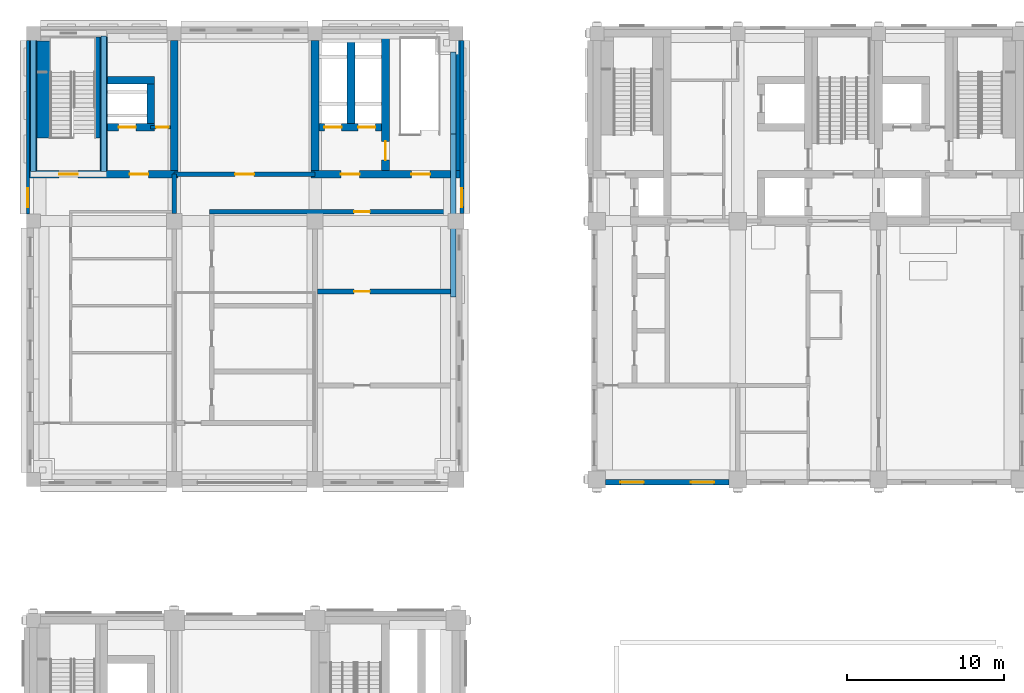
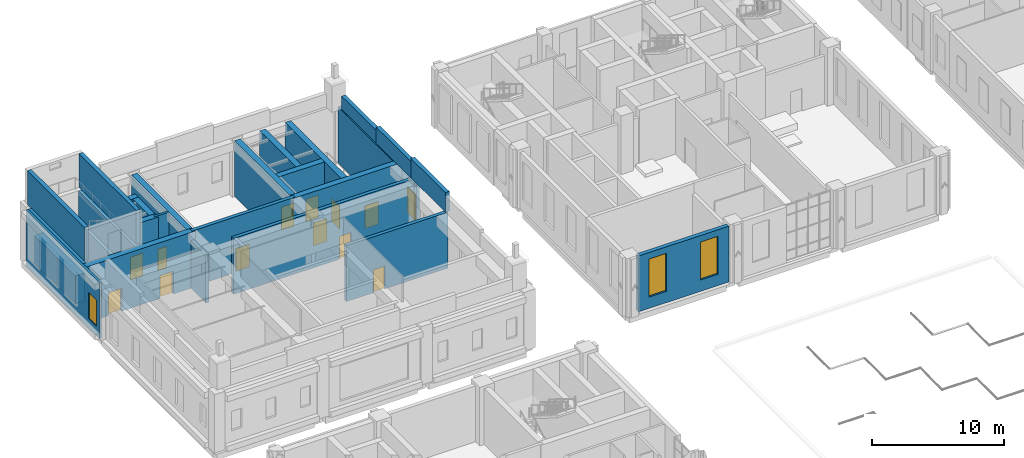
# One storey, part 20 of 37: 28 walls, 12 doors, 4 windows, 16 openings.
"""IFC4 building model written with IfcOpenShell, lengths in metres."""

from ifc_helpers import new_model, si_unit, direction, frame, frame_2d, origin, place, context, subcontext, project, spatial, rectangle, extrude, material, layer, layer_set, type_object, element, fill, save


model = new_model("IFC4")

# Units and contexts
model_context = context("Model", 3, precision=1e-05, world=origin(), true_north=direction((0.0, 1.0)))
body_context = subcontext(model_context, "Body", "Model", "MODEL_VIEW")
ifc_project = project(units=[si_unit("LENGTHUNIT", "METRE"), si_unit("AREAUNIT", "SQUARE_METRE"), si_unit("VOLUMEUNIT", "CUBIC_METRE"), si_unit("PLANEANGLEUNIT", "RADIAN"), si_unit("MASSUNIT", "GRAM", prefix="KILO")], contexts=[model_context])

# Site, building, storey
site_placement = place(None, origin())
site = spatial("IfcSite", under=ifc_project, at=site_placement, CompositionType="ELEMENT")
building_placement = place(site_placement, origin())
building = spatial("IfcBuilding", under=site, at=building_placement, Name="Aurelan Courthouse", CompositionType="ELEMENT")
storey_placement = place(building_placement, frame((0.0, 0.0, 17.39990234375)))
storey = spatial("IfcBuildingStorey", under=building, at=storey_placement, Name="L03", CompositionType="ELEMENT", Elevation=17.39990234375)

# Walls
ifc_material_1 = material(Name="Limestone cladding", Category="masonry")
ifc_layer_1 = layer(ifc_material_1, 0.35009765625)
ifc_layer_set_1 = layer_set([ifc_layer_1], Name="Limestone cladding")
wall_type_1 = type_object("IfcWallType", Name="CR6 crown parapet 350 x 1200", PredefinedType="PARAPET", material=ifc_layer_set_1)
wall_1_placement = place(storey_placement, frame((26.824951171875, 59.580078125, 5.400146484375), z_axis=(0.0, 0.0, 1.0), x_axis=(0.0, 1.0, 0.0)))
element("IfcWall", 1, at=wall_1_placement, inside=storey, type_object=wall_type_1, Name="Crown parapet CR6-PA20", PredefinedType="PARAPET", context=body_context, shape_type="SweptSolid", body=[
    extrude(rectangle(XDim=5.219970703125, YDim=0.35009765625, at=frame_2d((2.60986328125, 0.0))), origin(), (0.0, 0.0, 1.0), 1.199951171875),
])
ifc_layer_2 = layer(ifc_material_1, 0.35009765625)
ifc_layer_set_2 = layer_set([ifc_layer_2], Name="Limestone cladding")
wall_type_2 = type_object("IfcWallType", Name="CR6 crown parapet 350 x 1500", PredefinedType="PARAPET", material=ifc_layer_set_2)
wall_2_placement = place(storey_placement, frame((26.824951171875, 54.360107421875, 5.400146484375), z_axis=(0.0, 0.0, 1.0), x_axis=(0.0, 1.0, 0.0)))
element("IfcWall", 2, at=wall_2_placement, inside=storey, type_object=wall_type_2, Name="Crown parapet CR6-PA19", PredefinedType="PARAPET", context=body_context, shape_type="SweptSolid", body=[
    extrude(rectangle(XDim=5.219970703125, YDim=0.35009765625, at=frame_2d((2.60986328125, 0.0))), origin(), (0.0, 0.0, 1.0), 1.5),
])
ifc_layer_3 = layer(ifc_material_1, 0.35009765625)
ifc_layer_set_3 = layer_set([ifc_layer_3], Name="Limestone cladding")
wall_type_3 = type_object("IfcWallType", Name="CR6 crown parapet 350 x 1800", PredefinedType="PARAPET", material=ifc_layer_set_3)
wall_3_placement = place(storey_placement, frame((26.824951171875, 49.139892578125, 5.400146484375), z_axis=(0.0, 0.0, 1.0), x_axis=(0.0, 1.0, 0.0)))
element("IfcWall", 3, at=wall_3_placement, inside=storey, type_object=wall_type_3, Name="Crown parapet CR6-PA18", PredefinedType="PARAPET", context=body_context, shape_type="SweptSolid", body=[
    extrude(rectangle(XDim=5.22021484375, YDim=0.35009765625, at=frame_2d((2.610107421875, 0.0))), origin(), (0.0, 0.0, 1.0), 1.800048828125),
])

# Wall, openings, windows
ifc_layer_4 = layer(ifc_material_1, 0.10009765625, Name="Facing")
ifc_material_2 = material(Name="Ventilated cavity")
ifc_layer_5 = layer(ifc_material_2, 0.02490234375, ventilated=True, Name="Ventilated cavity")
ifc_material_3 = material(Name="Mineral wool insulation")
ifc_layer_6 = layer(ifc_material_3, 0.050048828125, Name="Insulation")
ifc_material_4 = material(Name="Concrete C30", Category="concrete")
ifc_layer_7 = layer(ifc_material_4, 0.175048828125, Name="Structure")
ifc_layer_set_4 = layer_set([ifc_layer_4, ifc_layer_5, ifc_layer_6, ifc_layer_7], Name="Concrete C30")
wall_type_4 = type_object("IfcWallType", Name="Courtroom Block stone-faced wall 350", PredefinedType="SOLIDWALL", material=ifc_layer_set_4)
wall_4_placement = place(storey_placement, frame((36.550048828125, 37.324951171875, 0.0), z_axis=(0.0, 0.0, 1.0), x_axis=(1.0, 0.0, 0.0)))
wall_4 = element("IfcWall", 4, at=wall_4_placement, inside=storey, type_object=wall_type_4, Name="Facade wall FW-V2-L03-001", PredefinedType="SOLIDWALL", context=body_context, shape_type="SweptSolid", body=[
    extrude(rectangle(XDim=7.89990234375, YDim=0.35009765625, at=frame_2d((3.949951171875, 0.0))), origin(), (0.0, 0.0, 1.0), 5.150146484375),
])
opening_1_placement = place(wall_4_placement, frame((0.949951171875, 0.0, 1.050048828125)))
opening_1 = element("IfcOpeningElement", 5, at=opening_1_placement, cuts=wall_4, Name="Opening WN-V2-L03-001", PredefinedType="OPENING", context=body_context, shape_type="SweptSolid", body=[
    extrude(rectangle(XDim=1.5, YDim=3.5, at=frame_2d((0.75, 1.75))), frame((0.0, 0.18505859375, 0.0), z_axis=(0.0, -1.0, 0.0), x_axis=(1.0, 0.0, 0.0)), (0.0, 0.0, 1.0), 0.3701171875),
])
opening_2_placement = place(wall_4_placement, frame((5.449951171875, 0.0, 1.050048828125)))
opening_2 = element("IfcOpeningElement", 6, at=opening_2_placement, cuts=wall_4, Name="Opening WN-V2-L03-002", PredefinedType="OPENING", context=body_context, shape_type="SweptSolid", body=[
    extrude(rectangle(XDim=1.5, YDim=3.5, at=frame_2d((0.75, 1.75))), frame((0.0, 0.18505859375, 0.0), z_axis=(0.0, -1.0, 0.0), x_axis=(1.0, 0.0, 0.0)), (0.0, 0.0, 1.0), 0.3701171875),
])
ifc_material_5 = material(Name="Bronze-finished aluminium and glass", Category="aluminium")
window_type_1 = type_object("IfcWindowType", Name="Courtroom Block glazed slot 1500 x 3500, sill 1050", PartitioningType="SINGLE_PANEL", PredefinedType="WINDOW", material=ifc_material_5)
window_1_placement = place(opening_1_placement, origin())
window_1 = element("IfcWindow", 7, at=window_1_placement, inside=storey, type_object=window_type_1, Name="Glazed slot WN-V2-L03-001", OverallHeight=3.5, OverallWidth=1.5, PartitioningType="SINGLE_PANEL", PredefinedType="WINDOW", context=body_context, shape_type="SweptSolid", body=[
    extrude(rectangle(XDim=1.5, YDim=3.5, at=frame_2d((0.75, 1.75))), frame((0.0, 0.030029296875, 0.0), z_axis=(0.0, -1.0, 0.0), x_axis=(1.0, 0.0, 0.0)), (0.0, 0.0, 1.0), 0.06005859375),
])
fill(opening_1, window_1)
window_2_placement = place(opening_2_placement, origin())
window_2 = element("IfcWindow", 8, at=window_2_placement, inside=storey, type_object=window_type_1, Name="Glazed slot WN-V2-L03-002", OverallHeight=3.5, OverallWidth=1.5, PartitioningType="SINGLE_PANEL", PredefinedType="WINDOW", context=body_context, shape_type="SweptSolid", body=[
    extrude(rectangle(XDim=1.5, YDim=3.5, at=frame_2d((0.75, 1.75))), frame((0.0, 0.030029296875, 0.0), z_axis=(0.0, -1.0, 0.0), x_axis=(1.0, 0.0, 0.0)), (0.0, 0.0, 1.0), 0.06005859375),
])
fill(opening_2, window_2)

# Wall, opening, window
ifc_layer_8 = layer(ifc_material_1, 0.054931640625, Name="Facing")
ifc_layer_9 = layer(ifc_material_2, 0.02490234375, ventilated=True, Name="Ventilated cavity")
ifc_layer_10 = layer(ifc_material_3, 0.030029296875, Name="Insulation")
ifc_layer_11 = layer(ifc_material_4, 0.090087890625, Name="Structure")
ifc_layer_set_5 = layer_set([ifc_layer_8, ifc_layer_9, ifc_layer_10, ifc_layer_11], Name="Concrete C30")
wall_type_5 = type_object("IfcWallType", Name="Custody Suite stone-faced wall 200", PredefinedType="SOLIDWALL", material=ifc_layer_set_5)
wall_5_placement = place(storey_placement, frame((-0.35009765625, 54.449951171875, 0.0), z_axis=(0.0, 0.0, 1.0), x_axis=(0.0, 1.0, 0.0)))
wall_5 = element("IfcWall", 9, at=wall_5_placement, inside=storey, type_object=wall_type_5, Name="Facade wall FW-V6-L03-010", PredefinedType="SOLIDWALL", context=body_context, shape_type="SweptSolid", body=[
    extrude(rectangle(XDim=11.10009765625, YDim=0.199951171875, at=frame_2d((5.550048828125, 0.0))), origin(), (0.0, 0.0, 1.0), 5.150146484375),
])
opening_3_placement = place(wall_5_placement, frame((0.449951171875, 0.0, 0.89990234375)))
opening_3 = element("IfcOpeningElement", 10, at=opening_3_placement, cuts=wall_5, Name="Opening WN-V6-L03-022", PredefinedType="OPENING", context=body_context, shape_type="SweptSolid", body=[
    extrude(rectangle(XDim=1.199951171875, YDim=2.39990234375, at=frame_2d((0.60009765625, 1.199951171875))), frame((0.0, 0.10986328125, 0.0), z_axis=(0.0, -1.0, 0.0), x_axis=(1.0, 0.0, 0.0)), (0.0, 0.0, 1.0), 0.219970703125),
])
window_type_2 = type_object("IfcWindowType", Name="Custody Suite glazed slot 1200 x 2400, sill 900", PartitioningType="SINGLE_PANEL", PredefinedType="WINDOW", material=ifc_material_5)
window_3_placement = place(opening_3_placement, origin())
window_3 = element("IfcWindow", 11, at=window_3_placement, inside=storey, type_object=window_type_2, Name="Glazed slot WN-V6-L03-022", OverallHeight=2.39990234375, OverallWidth=1.199951171875, PartitioningType="SINGLE_PANEL", PredefinedType="WINDOW", context=body_context, shape_type="SweptSolid", body=[
    extrude(rectangle(XDim=1.199951171875, YDim=2.39990234375, at=frame_2d((0.60009765625, 1.199951171875))), frame((0.0, 0.030029296875, 0.0), z_axis=(0.0, -1.0, 0.0), x_axis=(1.0, 0.0, 0.0)), (0.0, 0.0, 1.0), 0.06005859375),
])
fill(opening_3, window_3)

ifc_layer_12 = layer(ifc_material_1, 0.070068359375, Name="Facing")
ifc_layer_13 = layer(ifc_material_2, 0.02490234375, ventilated=True, Name="Ventilated cavity")
ifc_layer_14 = layer(ifc_material_3, 0.034912109375, Name="Insulation")
ifc_layer_15 = layer(ifc_material_4, 0.1201171875, Name="Structure")
ifc_layer_set_6 = layer_set([ifc_layer_12, ifc_layer_13, ifc_layer_14, ifc_layer_15], Name="Concrete C30")
wall_type_6 = type_object("IfcWallType", Name="Custody Suite stone-faced wall 250", PredefinedType="SOLIDWALL", material=ifc_layer_set_6)
wall_6_placement = place(storey_placement, frame((27.375, 54.5, 0.0), z_axis=(0.0, 0.0, 1.0), x_axis=(0.0, 1.0, 0.0)))
wall_6 = element("IfcWall", 12, at=wall_6_placement, inside=storey, type_object=wall_type_6, Name="Facade wall FW-V6-L03-008", PredefinedType="SOLIDWALL", context=body_context, shape_type="SweptSolid", body=[
    extrude(rectangle(XDim=11.050048828125, YDim=0.25, at=frame_2d((5.52490234375, 0.0))), origin(), (0.0, 0.0, 1.0), 5.150146484375),
])
opening_4_placement = place(wall_6_placement, frame((0.39990234375, 0.0, 0.89990234375)))
opening_4 = element("IfcOpeningElement", 13, at=opening_4_placement, cuts=wall_6, Name="Opening WN-V6-L03-016", PredefinedType="OPENING", context=body_context, shape_type="SweptSolid", body=[
    extrude(rectangle(XDim=1.199951171875, YDim=2.39990234375, at=frame_2d((0.60009765625, 1.199951171875))), frame((0.0, 0.135009765625, 0.0), z_axis=(0.0, -1.0, 0.0), x_axis=(1.0, 0.0, 0.0)), (0.0, 0.0, 1.0), 0.27001953125),
])
window_4_placement = place(opening_4_placement, origin())
window_4 = element("IfcWindow", 14, at=window_4_placement, inside=storey, type_object=window_type_2, Name="Glazed slot WN-V6-L03-016", OverallHeight=2.39990234375, OverallWidth=1.199951171875, PartitioningType="SINGLE_PANEL", PredefinedType="WINDOW", context=body_context, shape_type="SweptSolid", body=[
    extrude(rectangle(XDim=1.199951171875, YDim=2.39990234375, at=frame_2d((0.60009765625, 1.199951171875))), frame((0.0, 0.030029296875, 0.0), z_axis=(0.0, -1.0, 0.0), x_axis=(1.0, 0.0, 0.0)), (0.0, 0.0, 1.0), 0.06005859375),
])
fill(opening_4, window_4)

# Wall, opening, door
ifc_layer_16 = layer(ifc_material_4, 0.300048828125)
ifc_layer_set_7 = layer_set([ifc_layer_16], Name="Concrete C30")
wall_type_7 = type_object("IfcWallType", Name="Custody wall 300 EI 120", PredefinedType="PARTITIONING", material=ifc_layer_set_7)
wall_7_placement = place(storey_placement, frame((18.14990234375, 49.5, 0.0), z_axis=(0.0, 0.0, 1.0), x_axis=(1.0, 0.0, 0.0)))
wall_7 = element("IfcWall", 15, at=wall_7_placement, inside=storey, type_object=wall_type_7, Name="Custody wall L03-026", PredefinedType="PARTITIONING", context=body_context, shape_type="SweptSolid", body=[
    extrude(rectangle(XDim=8.85009765625, YDim=0.300048828125, at=frame_2d((4.425048828125, 0.0))), origin(), (0.0, 0.0, 1.0), 5.150146484375),
])
opening_5_placement = place(wall_7_placement, frame((3.35009765625, 0.0, 0.0), z_axis=(0.0, 0.0, 1.0), x_axis=(-1.0, 0.0, 0.0)))
opening_5 = element("IfcOpeningElement", 16, at=opening_5_placement, cuts=wall_7, Name="Opening D-L03-091", PredefinedType="OPENING", context=body_context, shape_type="SweptSolid", body=[
    extrude(rectangle(XDim=1.0, YDim=2.10009765625, at=frame_2d((0.5, 1.050048828125))), frame((0.0, 0.159912109375, 0.0), z_axis=(0.0, -1.0, 0.0), x_axis=(1.0, 0.0, 0.0)), (0.0, 0.0, 1.0), 0.320068359375),
])
ifc_material_6 = material(Name="Steel", Category="steel")
door_type_1 = type_object("IfcDoorType", Name="Single door 1000 x 2100 FD120", OperationType="SINGLE_SWING_LEFT", PredefinedType="DOOR", material=ifc_material_6)
door_1_placement = place(opening_5_placement, origin())
door_1 = element("IfcDoor", 17, at=door_1_placement, inside=storey, type_object=door_type_1, Name="Single door D-L03-091", OperationType="SINGLE_SWING_RIGHT", OverallHeight=2.10009765625, OverallWidth=1.0, PredefinedType="DOOR", context=body_context, shape_type="SweptSolid", body=[
    extrude(rectangle(XDim=1.0, YDim=2.10009765625, at=frame_2d((0.5, 1.050048828125))), frame((0.0, 0.02490234375, 0.0), z_axis=(0.0, -1.0, 0.0), x_axis=(1.0, 0.0, 0.0)), (0.0, 0.0, 1.0), 0.050048828125),
])
fill(opening_5, door_1)

wall_8_placement = place(storey_placement, frame((11.25, 54.60009765625, 0.0), z_axis=(0.0, 0.0, 1.0), x_axis=(1.0, 0.0, 0.0)))
wall_8 = element("IfcWall", 18, at=wall_8_placement, inside=storey, type_object=wall_type_7, Name="Custody wall L03-040", PredefinedType="PARTITIONING", context=body_context, shape_type="SweptSolid", body=[
    extrude(rectangle(XDim=15.75, YDim=0.300048828125, at=frame_2d((7.875, 0.0))), origin(), (0.0, 0.0, 1.0), 5.150146484375),
])
opening_6_placement = place(wall_8_placement, frame((10.25, 0.0, 0.0), z_axis=(0.0, 0.0, 1.0), x_axis=(-1.0, 0.0, 0.0)))
opening_6 = element("IfcOpeningElement", 19, at=opening_6_placement, cuts=wall_8, Name="Opening D-L03-090", PredefinedType="OPENING", context=body_context, shape_type="SweptSolid", body=[
    extrude(rectangle(XDim=1.0, YDim=2.10009765625, at=frame_2d((0.5, 1.050048828125))), frame((0.0, 0.159912109375, 0.0), z_axis=(0.0, -1.0, 0.0), x_axis=(1.0, 0.0, 0.0)), (0.0, 0.0, 1.0), 0.320068359375),
])
door_2_placement = place(opening_6_placement, origin())
door_2 = element("IfcDoor", 20, at=door_2_placement, inside=storey, type_object=door_type_1, Name="Single door D-L03-090", OperationType="SINGLE_SWING_RIGHT", OverallHeight=2.10009765625, OverallWidth=1.0, PredefinedType="DOOR", context=body_context, shape_type="SweptSolid", body=[
    extrude(rectangle(XDim=1.0, YDim=2.10009765625, at=frame_2d((0.5, 1.050048828125))), frame((0.0, 0.02490234375, 0.0), z_axis=(0.0, -1.0, 0.0), x_axis=(1.0, 0.0, 0.0)), (0.0, 0.0, 1.0), 0.050048828125),
])
fill(opening_6, door_2)

wall_9_placement = place(storey_placement, frame((9.0, 57.0, 0.0), z_axis=(0.0, 0.0, 1.0), x_axis=(1.0, 0.0, 0.0)))
wall_9 = element("IfcWall", 21, at=wall_9_placement, inside=storey, type_object=wall_type_7, Name="Custody wall L03-041", PredefinedType="PARTITIONING", context=body_context, shape_type="SweptSolid", body=[
    extrude(rectangle(XDim=9.0, YDim=0.300048828125, at=frame_2d((4.5, 0.0))), origin(), (0.0, 0.0, 1.0), 5.150146484375),
])
opening_7_placement = place(wall_9_placement, frame((3.89990234375, 0.0, 0.0)))
opening_7 = element("IfcOpeningElement", 22, at=opening_7_placement, cuts=wall_9, Name="Opening D-L03-080", PredefinedType="OPENING", context=body_context, shape_type="SweptSolid", body=[
    extrude(rectangle(XDim=1.199951171875, YDim=2.10009765625, at=frame_2d((0.60009765625, 1.050048828125))), frame((0.0, 0.159912109375, 0.0), z_axis=(0.0, -1.0, 0.0), x_axis=(1.0, 0.0, 0.0)), (0.0, 0.0, 1.0), 0.320068359375),
])
door_type_2 = type_object("IfcDoorType", Name="Single door 1200 x 2100 FD120", OperationType="SINGLE_SWING_LEFT", PredefinedType="DOOR", material=ifc_material_6)
door_3_placement = place(opening_7_placement, origin())
door_3 = element("IfcDoor", 23, at=door_3_placement, inside=storey, type_object=door_type_2, Name="Single door D-L03-080", OperationType="SINGLE_SWING_LEFT", OverallHeight=2.10009765625, OverallWidth=1.199951171875, PredefinedType="DOOR", context=body_context, shape_type="SweptSolid", body=[
    extrude(rectangle(XDim=1.199951171875, YDim=2.10009765625, at=frame_2d((0.60009765625, 1.050048828125))), frame((0.0, 0.02490234375, 0.0), z_axis=(0.0, -1.0, 0.0), x_axis=(1.0, 0.0, 0.0)), (0.0, 0.0, 1.0), 0.050048828125),
])
fill(opening_7, door_3)

# Walls
wall_10_placement = place(storey_placement, frame((9.0, 54.5, 0.0), z_axis=(0.0, 0.0, 1.0), x_axis=(0.0, 1.0, 0.0)))
element("IfcWall", 24, at=wall_10_placement, inside=storey, type_object=wall_type_7, Name="Custody wall L03-057", PredefinedType="PARTITIONING", context=body_context, shape_type="SweptSolid", body=[
    extrude(rectangle(XDim=2.5, YDim=0.300048828125, at=frame_2d((1.25, 0.0))), origin(), (0.0, 0.0, 1.0), 4.400146484375),
])
ifc_material_7 = material(Name="Concrete C40", Category="concrete")
ifc_layer_17 = layer(ifc_material_7, 0.35009765625)
ifc_layer_set_8 = layer_set([ifc_layer_17], Name="Concrete C40")
wall_type_8 = type_object("IfcWallType", Name="Head house wall 350 x 3100", PredefinedType="SOLIDWALL", material=ifc_layer_set_8)
for number, where, z_axis, x_axis, name in (
    (25, (0.0, 57.175048828125, 5.400146484375), (0.0, 0.0, 1.0), (0.0, 1.0, 0.0), "Head house wall HH-ST-6-W"),
    (26, (4.5, 57.175048828125, 5.400146484375), (0.0, 0.0, 1.0), (0.0, 1.0, 0.0), "Head house wall HH-ST-6-E"),
):
    element("IfcWall", number, at=place(storey_placement, frame(where, z_axis=z_axis, x_axis=x_axis)), inside=storey, type_object=wall_type_8, Name=name, PredefinedType="SOLIDWALL", context=body_context, shape_type="SweptSolid", body=[
        extrude(rectangle(XDim=8.64990234375, YDim=0.35009765625, at=frame_2d((4.324951171875, 0.0))), origin(), (0.0, 0.0, 1.0), 3.099853515625),
    ])

# Wall, openings, doors
ifc_material_8 = material(Name="Concrete C50", Category="concrete")
ifc_layer_18 = layer(ifc_material_8, 0.5)
ifc_layer_set_9 = layer_set([ifc_layer_18], Name="Concrete C50")
wall_type_9 = type_object("IfcWallType", Name="RC shear wall 500", PredefinedType="SHEAR", material=ifc_layer_set_9)
wall_11_placement = place(storey_placement, frame((-0.25, 57.0, 0.0), z_axis=(0.0, 0.0, 1.0), x_axis=(1.0, 0.0, 0.0)))
wall_11 = element("IfcWall", 27, at=wall_11_placement, inside=storey, type_object=wall_type_9, Name="Core wall SW-L03-025", PredefinedType="SHEAR", context=body_context, shape_type="SweptSolid", body=[
    extrude(rectangle(XDim=9.5, YDim=0.5, at=frame_2d((4.75, 0.0))), origin(), (0.0, 0.0, 1.0), 5.150146484375),
])
opening_8_placement = place(wall_11_placement, frame((1.89990234375, 0.0, 0.0)))
opening_8 = element("IfcOpeningElement", 28, at=opening_8_placement, cuts=wall_11, Name="Opening D-L03-071", PredefinedType="OPENING", context=body_context, shape_type="SweptSolid", body=[
    extrude(rectangle(XDim=1.199951171875, YDim=2.10009765625, at=frame_2d((0.60009765625, 1.050048828125))), frame((0.0, 0.260009765625, 0.0), z_axis=(0.0, -1.0, 0.0), x_axis=(1.0, 0.0, 0.0)), (0.0, 0.0, 1.0), 0.52001953125),
])
opening_9_placement = place(wall_11_placement, frame((7.599853515625, 0.0, 0.0), z_axis=(0.0, 0.0, 1.0), x_axis=(-1.0, 0.0, 0.0)))
opening_9 = element("IfcOpeningElement", 29, at=opening_9_placement, cuts=wall_11, Name="Opening D-L03-072", PredefinedType="OPENING", context=body_context, shape_type="SweptSolid", body=[
    extrude(rectangle(XDim=1.199951171875, YDim=2.10009765625, at=frame_2d((0.60009765625, 1.050048828125))), frame((0.0, 0.260009765625, 0.0), z_axis=(0.0, -1.0, 0.0), x_axis=(1.0, 0.0, 0.0)), (0.0, 0.0, 1.0), 0.52001953125),
])
door_type_3 = type_object("IfcDoorType", Name="Single door 1200 x 2100 FD90", OperationType="SINGLE_SWING_LEFT", PredefinedType="DOOR", material=ifc_material_6)
door_4_placement = place(opening_8_placement, origin())
door_4 = element("IfcDoor", 30, at=door_4_placement, inside=storey, type_object=door_type_3, Name="Single door D-L03-071", OperationType="SINGLE_SWING_RIGHT", OverallHeight=2.10009765625, OverallWidth=1.199951171875, PredefinedType="DOOR", context=body_context, shape_type="SweptSolid", body=[
    extrude(rectangle(XDim=1.199951171875, YDim=2.10009765625, at=frame_2d((0.60009765625, 1.050048828125))), frame((0.0, 0.02490234375, 0.0), z_axis=(0.0, -1.0, 0.0), x_axis=(1.0, 0.0, 0.0)), (0.0, 0.0, 1.0), 0.050048828125),
])
fill(opening_8, door_4)
door_5_placement = place(opening_9_placement, origin())
door_5 = element("IfcDoor", 31, at=door_5_placement, inside=storey, type_object=door_type_3, Name="Single door D-L03-072", OperationType="SINGLE_SWING_LEFT", OverallHeight=2.10009765625, OverallWidth=1.199951171875, PredefinedType="DOOR", context=body_context, shape_type="SweptSolid", body=[
    extrude(rectangle(XDim=1.199951171875, YDim=2.10009765625, at=frame_2d((0.60009765625, 1.050048828125))), frame((0.0, 0.02490234375, 0.0), z_axis=(0.0, -1.0, 0.0), x_axis=(1.0, 0.0, 0.0)), (0.0, 0.0, 1.0), 0.050048828125),
])
fill(opening_9, door_5)

wall_12_placement = place(storey_placement, frame((17.75, 57.0, 0.0), z_axis=(0.0, 0.0, 1.0), x_axis=(1.0, 0.0, 0.0)))
wall_12 = element("IfcWall", 32, at=wall_12_placement, inside=storey, type_object=wall_type_9, Name="Core wall SW-L03-026", PredefinedType="SHEAR", context=body_context, shape_type="SweptSolid", body=[
    extrude(rectangle(XDim=9.5, YDim=0.5, at=frame_2d((4.75, 0.0))), origin(), (0.0, 0.0, 1.0), 5.150146484375),
])
opening_10_placement = place(wall_12_placement, frame((3.099853515625, 0.0, 0.0), z_axis=(0.0, 0.0, 1.0), x_axis=(-1.0, 0.0, 0.0)))
opening_10 = element("IfcOpeningElement", 33, at=opening_10_placement, cuts=wall_12, Name="Opening D-L03-075", PredefinedType="OPENING", context=body_context, shape_type="SweptSolid", body=[
    extrude(rectangle(XDim=1.199951171875, YDim=2.10009765625, at=frame_2d((0.60009765625, 1.050048828125))), frame((0.0, 0.260009765625, 0.0), z_axis=(0.0, -1.0, 0.0), x_axis=(1.0, 0.0, 0.0)), (0.0, 0.0, 1.0), 0.52001953125),
])
opening_11_placement = place(wall_12_placement, frame((6.39990234375, 0.0, 0.0)))
opening_11 = element("IfcOpeningElement", 34, at=opening_11_placement, cuts=wall_12, Name="Opening D-L03-079", PredefinedType="OPENING", context=body_context, shape_type="SweptSolid", body=[
    extrude(rectangle(XDim=1.199951171875, YDim=2.10009765625, at=frame_2d((0.60009765625, 1.050048828125))), frame((0.0, 0.260009765625, 0.0), z_axis=(0.0, -1.0, 0.0), x_axis=(1.0, 0.0, 0.0)), (0.0, 0.0, 1.0), 0.52001953125),
])
door_6_placement = place(opening_10_placement, origin())
door_6 = element("IfcDoor", 35, at=door_6_placement, inside=storey, type_object=door_type_2, Name="Single door D-L03-075", OperationType="SINGLE_SWING_LEFT", OverallHeight=2.10009765625, OverallWidth=1.199951171875, PredefinedType="DOOR", context=body_context, shape_type="SweptSolid", body=[
    extrude(rectangle(XDim=1.199951171875, YDim=2.10009765625, at=frame_2d((0.60009765625, 1.050048828125))), frame((0.0, 0.02490234375, 0.0), z_axis=(0.0, -1.0, 0.0), x_axis=(1.0, 0.0, 0.0)), (0.0, 0.0, 1.0), 0.050048828125),
])
fill(opening_10, door_6)
door_7_placement = place(opening_11_placement, origin())
door_7 = element("IfcDoor", 36, at=door_7_placement, inside=storey, type_object=door_type_2, Name="Single door D-L03-079", OperationType="SINGLE_SWING_RIGHT", OverallHeight=2.10009765625, OverallWidth=1.199951171875, PredefinedType="DOOR", context=body_context, shape_type="SweptSolid", body=[
    extrude(rectangle(XDim=1.199951171875, YDim=2.10009765625, at=frame_2d((0.60009765625, 1.050048828125))), frame((0.0, 0.02490234375, 0.0), z_axis=(0.0, -1.0, 0.0), x_axis=(1.0, 0.0, 0.0)), (0.0, 0.0, 1.0), 0.050048828125),
])
fill(opening_11, door_7)

# Walls
wall_13_placement = place(storey_placement, frame((0.0, 57.25, 0.0), z_axis=(0.0, 0.0, 1.0), x_axis=(0.0, 1.0, 0.0)))
element("IfcWall", 37, at=wall_13_placement, inside=storey, type_object=wall_type_9, Name="Core wall SW-L03-032", PredefinedType="SHEAR", context=body_context, shape_type="SweptSolid", body=[
    extrude(rectangle(XDim=8.300048828125, YDim=0.5, at=frame_2d((4.14990234375, 0.0))), origin(), (0.0, 0.0, 1.0), 5.150146484375),
])
wall_14_placement = place(storey_placement, frame((4.5, 57.25, 0.0), z_axis=(0.0, 0.0, 1.0), x_axis=(0.0, 1.0, 0.0)))
element("IfcWall", 38, at=wall_14_placement, inside=storey, type_object=wall_type_9, Name="Core wall SW-L03-033", PredefinedType="SHEAR", context=body_context, shape_type="SweptSolid", body=[
    extrude(rectangle(XDim=8.5, YDim=0.5, at=frame_2d((4.25, 0.0))), origin(), (0.0, 0.0, 1.0), 5.150146484375),
])
for number, where, z_axis, x_axis, name in (
    (39, (9.0, 57.25, 0.0), (0.0, 0.0, 1.0), (0.0, 1.0, 0.0), "Core wall SW-L03-034"),
    (40, (18.0, 57.25, 0.0), (0.0, 0.0, 1.0), (0.0, 1.0, 0.0), "Core wall SW-L03-035"),
):
    element("IfcWall", number, at=place(storey_placement, frame(where, z_axis=z_axis, x_axis=x_axis)), inside=storey, type_object=wall_type_9, Name=name, PredefinedType="SHEAR", context=body_context, shape_type="SweptSolid", body=[
        extrude(rectangle(XDim=8.300048828125, YDim=0.5, at=frame_2d((4.14990234375, 0.0))), origin(), (0.0, 0.0, 1.0), 5.150146484375),
    ])

# Wall, opening, door
wall_15_placement = place(storey_placement, frame((22.5, 57.25, 0.0), z_axis=(0.0, 0.0, 1.0), x_axis=(0.0, 1.0, 0.0)))
wall_15 = element("IfcWall", 41, at=wall_15_placement, inside=storey, type_object=wall_type_9, Name="Core wall SW-L03-036", PredefinedType="SHEAR", context=body_context, shape_type="SweptSolid", body=[
    extrude(rectangle(XDim=8.5, YDim=0.5, at=frame_2d((4.25, 0.0))), origin(), (0.0, 0.0, 1.0), 5.150146484375),
])
opening_12_placement = place(wall_15_placement, frame((1.849853515625, 0.0, 0.0), z_axis=(0.0, 0.0, 1.0), x_axis=(-1.0, 0.0, 0.0)))
opening_12 = element("IfcOpeningElement", 42, at=opening_12_placement, cuts=wall_15, Name="Opening D-L03-078", PredefinedType="OPENING", context=body_context, shape_type="SweptSolid", body=[
    extrude(rectangle(XDim=1.199951171875, YDim=2.10009765625, at=frame_2d((0.60009765625, 1.050048828125))), frame((0.0, 0.260009765625, 0.0), z_axis=(0.0, -1.0, 0.0), x_axis=(1.0, 0.0, 0.0)), (0.0, 0.0, 1.0), 0.52001953125),
])
door_8_placement = place(opening_12_placement, origin())
door_8 = element("IfcDoor", 43, at=door_8_placement, inside=storey, type_object=door_type_2, Name="Single door D-L03-078", OperationType="SINGLE_SWING_RIGHT", OverallHeight=2.10009765625, OverallWidth=1.199951171875, PredefinedType="DOOR", context=body_context, shape_type="SweptSolid", body=[
    extrude(rectangle(XDim=1.199951171875, YDim=2.10009765625, at=frame_2d((0.60009765625, 1.050048828125))), frame((0.0, 0.02490234375, 0.0), z_axis=(0.0, -1.0, 0.0), x_axis=(1.0, 0.0, 0.0)), (0.0, 0.0, 1.0), 0.050048828125),
])
fill(opening_12, door_8)

# Wall
wall_16_placement = place(storey_placement, frame((27.0, 57.25, 0.0), z_axis=(0.0, 0.0, 1.0), x_axis=(0.0, 1.0, 0.0)))
element("IfcWall", 44, at=wall_16_placement, inside=storey, type_object=wall_type_9, Name="Core wall SW-L03-037", PredefinedType="SHEAR", context=body_context, shape_type="SweptSolid", body=[
    extrude(rectangle(XDim=8.300048828125, YDim=0.5, at=frame_2d((4.14990234375, 0.0))), origin(), (0.0, 0.0, 1.0), 5.150146484375),
])

# Wall, opening, door
wall_17_placement = place(storey_placement, frame((4.75, 60.0, 0.0), z_axis=(0.0, 0.0, 1.0), x_axis=(1.0, 0.0, 0.0)))
wall_17 = element("IfcWall", 45, at=wall_17_placement, inside=storey, type_object=wall_type_9, Name="Core wall SW-L03-045", PredefinedType="SHEAR", context=body_context, shape_type="SweptSolid", body=[
    extrude(rectangle(XDim=3.0, YDim=0.5, at=frame_2d((1.5, 0.0))), origin(), (0.0, 0.0, 1.0), 5.150146484375),
])
opening_13_placement = place(wall_17_placement, frame((0.699951171875, 0.0, 0.0)))
opening_13 = element("IfcOpeningElement", 46, at=opening_13_placement, cuts=wall_17, Name="Opening LD-V6-S1-L03", PredefinedType="OPENING", context=body_context, shape_type="SweptSolid", body=[
    extrude(rectangle(XDim=1.10009765625, YDim=2.10009765625, at=frame_2d((0.550048828125, 1.050048828125))), frame((0.0, 0.260009765625, 0.0), z_axis=(0.0, -1.0, 0.0), x_axis=(1.0, 0.0, 0.0)), (0.0, 0.0, 1.0), 0.52001953125),
])
door_type_4 = type_object("IfcDoorType", Name="Lift landing door 1100 x 2100 FD90", OperationType="SLIDING_TO_LEFT", PredefinedType="DOOR", material=ifc_material_6)
door_9_placement = place(opening_13_placement, origin())
door_9 = element("IfcDoor", 47, at=door_9_placement, inside=storey, type_object=door_type_4, Name="Lift landing door LD-V6-S1-L03", OperationType="SLIDING_TO_LEFT", OverallHeight=2.10009765625, OverallWidth=1.10009765625, PredefinedType="DOOR", context=body_context, shape_type="SweptSolid", body=[
    extrude(rectangle(XDim=1.10009765625, YDim=2.10009765625, at=frame_2d((0.550048828125, 1.050048828125))), frame((0.0, 0.02490234375, 0.0), z_axis=(0.0, -1.0, 0.0), x_axis=(1.0, 0.0, 0.0)), (0.0, 0.0, 1.0), 0.050048828125),
])
fill(opening_13, door_9)

# Wall, openings, doors
wall_18_placement = place(storey_placement, frame((18.25, 60.0, 0.0), z_axis=(0.0, 0.0, 1.0), x_axis=(1.0, 0.0, 0.0)))
wall_18 = element("IfcWall", 48, at=wall_18_placement, inside=storey, type_object=wall_type_9, Name="Core wall SW-L03-046", PredefinedType="SHEAR", context=body_context, shape_type="SweptSolid", body=[
    extrude(rectangle(XDim=4.0, YDim=0.5, at=frame_2d((2.0, 0.0))), origin(), (0.0, 0.0, 1.0), 5.150146484375),
])
opening_14_placement = place(wall_18_placement, frame((0.35009765625, 0.0, 0.0)))
opening_14 = element("IfcOpeningElement", 49, at=opening_14_placement, cuts=wall_18, Name="Opening LD-V6-C1-L03", PredefinedType="OPENING", context=body_context, shape_type="SweptSolid", body=[
    extrude(rectangle(XDim=1.10009765625, YDim=2.10009765625, at=frame_2d((0.550048828125, 1.050048828125))), frame((0.0, 0.260009765625, 0.0), z_axis=(0.0, -1.0, 0.0), x_axis=(1.0, 0.0, 0.0)), (0.0, 0.0, 1.0), 0.52001953125),
])
opening_15_placement = place(wall_18_placement, frame((2.5, 0.0, 0.0)))
opening_15 = element("IfcOpeningElement", 50, at=opening_15_placement, cuts=wall_18, Name="Opening LD-V6-C2-L03", PredefinedType="OPENING", context=body_context, shape_type="SweptSolid", body=[
    extrude(rectangle(XDim=1.10009765625, YDim=2.10009765625, at=frame_2d((0.550048828125, 1.050048828125))), frame((0.0, 0.260009765625, 0.0), z_axis=(0.0, -1.0, 0.0), x_axis=(1.0, 0.0, 0.0)), (0.0, 0.0, 1.0), 0.52001953125),
])
door_10_placement = place(opening_14_placement, origin())
door_10 = element("IfcDoor", 51, at=door_10_placement, inside=storey, type_object=door_type_4, Name="Lift landing door LD-V6-C1-L03", OperationType="SLIDING_TO_LEFT", OverallHeight=2.10009765625, OverallWidth=1.10009765625, PredefinedType="DOOR", context=body_context, shape_type="SweptSolid", body=[
    extrude(rectangle(XDim=1.10009765625, YDim=2.10009765625, at=frame_2d((0.550048828125, 1.050048828125))), frame((0.0, 0.02490234375, 0.0), z_axis=(0.0, -1.0, 0.0), x_axis=(1.0, 0.0, 0.0)), (0.0, 0.0, 1.0), 0.050048828125),
])
fill(opening_14, door_10)
door_11_placement = place(opening_15_placement, origin())
door_11 = element("IfcDoor", 52, at=door_11_placement, inside=storey, type_object=door_type_4, Name="Lift landing door LD-V6-C2-L03", OperationType="SLIDING_TO_LEFT", OverallHeight=2.10009765625, OverallWidth=1.10009765625, PredefinedType="DOOR", context=body_context, shape_type="SweptSolid", body=[
    extrude(rectangle(XDim=1.10009765625, YDim=2.10009765625, at=frame_2d((0.550048828125, 1.050048828125))), frame((0.0, 0.02490234375, 0.0), z_axis=(0.0, -1.0, 0.0), x_axis=(1.0, 0.0, 0.0)), (0.0, 0.0, 1.0), 0.050048828125),
])
fill(opening_15, door_11)

# Walls
wall_19_placement = place(storey_placement, frame((7.5, 60.25, 0.0), z_axis=(0.0, 0.0, 1.0), x_axis=(0.0, 1.0, 0.0)))
element("IfcWall", 53, at=wall_19_placement, inside=storey, type_object=wall_type_9, Name="Core wall SW-L03-050", PredefinedType="SHEAR", context=body_context, shape_type="SweptSolid", body=[
    extrude(rectangle(XDim=2.5, YDim=0.5, at=frame_2d((1.25, 0.0))), origin(), (0.0, 0.0, 1.0), 5.150146484375),
])
wall_20_placement = place(storey_placement, frame((20.300048828125, 60.25, 0.0), z_axis=(0.0, 0.0, 1.0), x_axis=(0.0, 1.0, 0.0)))
element("IfcWall", 54, at=wall_20_placement, inside=storey, type_object=wall_type_9, Name="Core wall SW-L03-051", PredefinedType="SHEAR", context=body_context, shape_type="SweptSolid", body=[
    extrude(rectangle(XDim=5.5, YDim=0.5, at=frame_2d((2.75, 0.0))), origin(), (0.0, 0.0, 1.0), 5.150146484375),
])
wall_21_placement = place(storey_placement, frame((4.75, 63.0, 0.0), z_axis=(0.0, 0.0, 1.0), x_axis=(1.0, 0.0, 0.0)))
element("IfcWall", 55, at=wall_21_placement, inside=storey, type_object=wall_type_9, Name="Core wall SW-L03-056", PredefinedType="SHEAR", context=body_context, shape_type="SweptSolid", body=[
    extrude(rectangle(XDim=3.0, YDim=0.5, at=frame_2d((1.5, 0.0))), origin(), (0.0, 0.0, 1.0), 5.150146484375),
])

# Wall, opening, door
ifc_layer_19 = layer(ifc_material_4, 0.199951171875)
ifc_layer_set_10 = layer_set([ifc_layer_19], Name="Concrete C30")
wall_type_10 = type_object("IfcWallType", Name="Shaft wall 200 EI 120 load-bearing", PredefinedType="SHEAR", material=ifc_layer_set_10)
wall_22_placement = place(storey_placement, frame((7.5, 60.0, 0.0), z_axis=(0.0, 0.0, 1.0), x_axis=(1.0, 0.0, 0.0)))
wall_22 = element("IfcWall", 56, at=wall_22_placement, inside=storey, type_object=wall_type_10, Name="Shaft wall L03-046", PredefinedType="SHEAR", context=body_context, shape_type="SweptSolid", body=[
    extrude(rectangle(XDim=1.25, YDim=0.199951171875, at=frame_2d((0.625, 0.0))), origin(), (0.0, 0.0, 1.0), 5.150146484375),
])
opening_16_placement = place(wall_22_placement, frame((1.150146484375, 0.0, 0.0), z_axis=(0.0, 0.0, 1.0), x_axis=(-1.0, 0.0, 0.0)))
opening_16 = element("IfcOpeningElement", 57, at=opening_16_placement, cuts=wall_22, Name="Opening D-L03-074", PredefinedType="OPENING", context=body_context, shape_type="SweptSolid", body=[
    extrude(rectangle(XDim=0.800048828125, YDim=2.0, at=frame_2d((0.39990234375, 1.0))), frame((0.0, 0.10986328125, 0.0), z_axis=(0.0, -1.0, 0.0), x_axis=(1.0, 0.0, 0.0)), (0.0, 0.0, 1.0), 0.219970703125),
])
door_type_5 = type_object("IfcDoorType", Name="Single door 800 x 2000 FD90", OperationType="SINGLE_SWING_LEFT", PredefinedType="DOOR", material=ifc_material_6)
door_12_placement = place(opening_16_placement, origin())
door_12 = element("IfcDoor", 58, at=door_12_placement, inside=storey, type_object=door_type_5, Name="Single door D-L03-074", OperationType="SINGLE_SWING_LEFT", OverallHeight=2.0, OverallWidth=0.800048828125, PredefinedType="DOOR", context=body_context, shape_type="SweptSolid", body=[
    extrude(rectangle(XDim=0.800048828125, YDim=2.0, at=frame_2d((0.39990234375, 1.0))), frame((0.0, 0.02490234375, 0.0), z_axis=(0.0, -1.0, 0.0), x_axis=(1.0, 0.0, 0.0)), (0.0, 0.0, 1.0), 0.050048828125),
])
fill(opening_16, door_12)

# Walls
ifc_layer_20 = layer(ifc_material_4, 0.2900390625)
ifc_layer_set_11 = layer_set([ifc_layer_20], Name="Concrete C30")
wall_type_11 = type_object("IfcWallType", Name="Stair well wall 290 EI 120 load-bearing", PredefinedType="SHEAR", material=ifc_layer_set_11)
wall_23_placement = place(storey_placement, frame((4.10498046875, 59.31005859375, 0.0), z_axis=(0.0, 0.0, 1.0), x_axis=(0.0, 1.0, 0.0)))
element("IfcWall", 59, at=wall_23_placement, inside=storey, type_object=wall_type_11, Name="Stair well wall ST-6-L03 B", PredefinedType="SHEAR", context=body_context, shape_type="SweptSolid", body=[
    extrude(rectangle(XDim=6.43994140625, YDim=0.2900390625, at=frame_2d((3.219970703125, 0.0))), origin(), (0.0, 0.0, 1.0), 2.587158203125),
])
ifc_layer_21 = layer(ifc_material_4, 0.81005859375)
ifc_layer_set_12 = layer_set([ifc_layer_21], Name="Concrete C30")
wall_type_12 = type_object("IfcWallType", Name="Stair well wall 810 EI 120 load-bearing", PredefinedType="SHEAR", material=ifc_layer_set_12)
wall_24_placement = place(storey_placement, frame((0.655029296875, 59.31005859375, 0.0), z_axis=(0.0, 0.0, 1.0), x_axis=(0.0, 1.0, 0.0)))
element("IfcWall", 60, at=wall_24_placement, inside=storey, type_object=wall_type_12, Name="Stair well wall ST-6-L03 A", PredefinedType="SHEAR", context=body_context, shape_type="SweptSolid", body=[
    extrude(rectangle(XDim=6.18994140625, YDim=0.81005859375, at=frame_2d((3.094970703125, 0.0))), origin(), (0.0, 0.0, 1.0), 2.587158203125),
])

save(model, "model.ifc")
